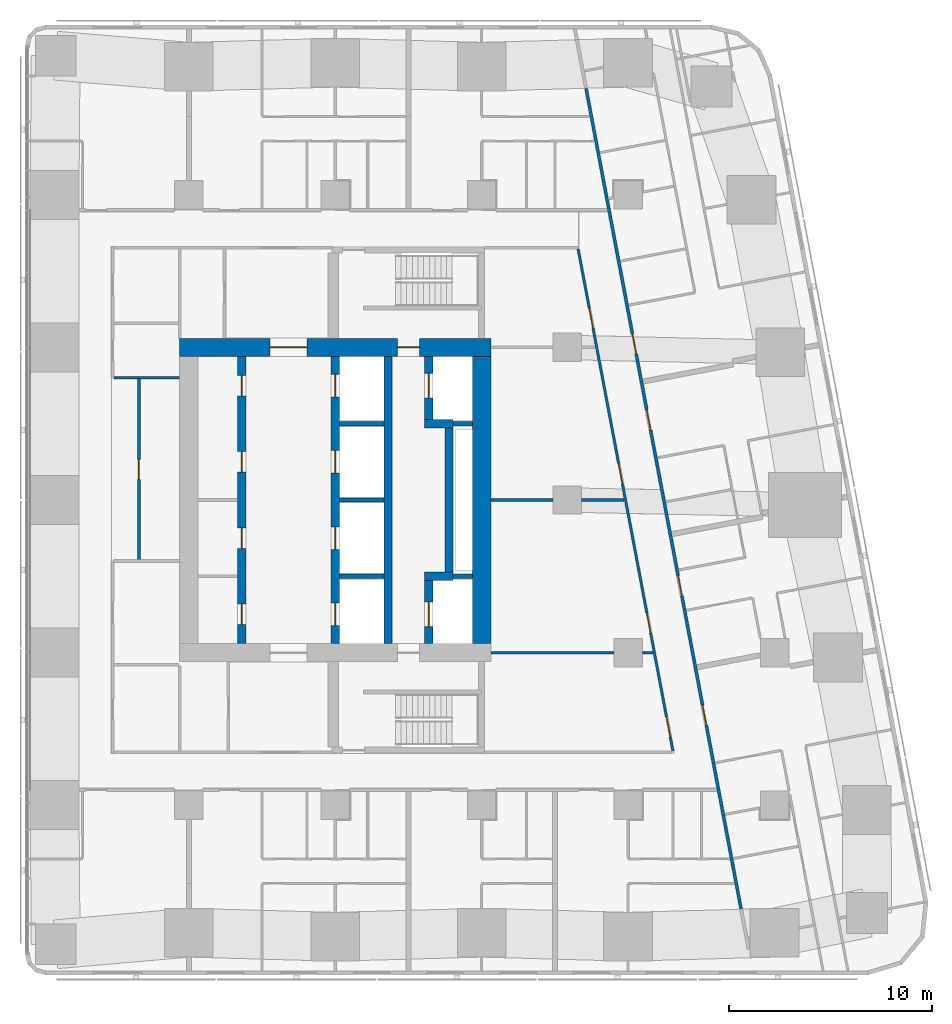
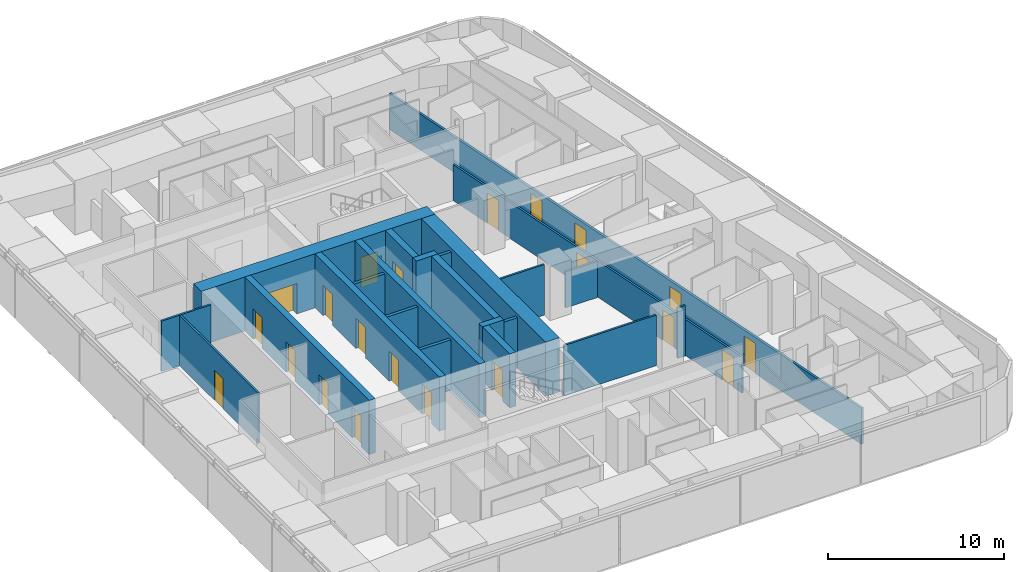
# One storey, part 12 of 19: 23 walls, 21 doors, 21 openings.
"""IFC4 building model written with IfcOpenShell, lengths in metres."""

from ifc_helpers import new_model, si_unit, direction, frame, frame_2d, origin, place, context, subcontext, project, spatial, rectangle, extrude, material, layer, layer_set, type_object, element, fill, save


model = new_model("IFC4")

# Units and contexts
model_context = context("Model", 3, precision=1e-05, world=origin(), true_north=direction((0.0, 1.0)))
body_context = subcontext(model_context, "Body", "Model", "MODEL_VIEW")
ifc_project = project(units=[si_unit("LENGTHUNIT", "METRE"), si_unit("AREAUNIT", "SQUARE_METRE"), si_unit("VOLUMEUNIT", "CUBIC_METRE"), si_unit("PLANEANGLEUNIT", "RADIAN"), si_unit("MASSUNIT", "GRAM", prefix="KILO")], contexts=[model_context])

# Site, building, storey
site_placement = place(None, origin())
site = spatial("IfcSite", under=ifc_project, at=site_placement, CompositionType="ELEMENT")
building_placement = place(site_placement, origin())
building = spatial("IfcBuilding", under=site, at=building_placement, Name="Sheger Commons Tower", CompositionType="ELEMENT")
storey_placement = place(building_placement, frame((0.0, 0.0, 219.949951171875)))
storey = spatial("IfcBuildingStorey", under=building, at=storey_placement, Name="L56", CompositionType="ELEMENT", Elevation=219.949951171875)

# Wall, openings, doors
ifc_material_1 = material(Name="Concrete C50/60", Category="concrete")
ifc_layer_1 = layer(ifc_material_1, 0.39990234375)
ifc_layer_set_1 = layer_set([ifc_layer_1], Name="CORE INNER WALL 400")
wall_type_1 = type_object("IfcWallType", Name="CORE INNER WALL 400", PredefinedType="SHEAR", material=ifc_layer_set_1)
wall_1_placement = place(storey_placement, frame((17.0, 15.449951171875, 0.0), z_axis=(0.0, 0.0, 1.0), x_axis=(0.0, 1.0, 0.0)))
wall_1 = element("IfcWall", 1, at=wall_1_placement, inside=storey, type_object=wall_type_1, Name="Core inner wall A L56", PredefinedType="SHEAR", context=body_context, shape_type="SweptSolid", body=[
    extrude(rectangle(XDim=14.10009765625, YDim=0.39990234375, at=frame_2d((7.050048828125, 0.0))), origin(), (0.0, 0.0, 1.0), 3.75),
])
opening_1_placement = place(wall_1_placement, frame((0.925048828125, 0.0, 0.0)))
opening_1 = element("IfcOpeningElement", 2, at=opening_1_placement, cuts=wall_1, Name="Opening D4", PredefinedType="OPENING", context=body_context, shape_type="SweptSolid", body=[
    extrude(rectangle(XDim=1.0, YDim=2.10009765625, at=frame_2d((0.5, 1.050048828125))), frame((0.0, 0.2099609375, 0.0), z_axis=(0.0, -1.0, 0.0), x_axis=(1.0, 0.0, 0.0)), (0.0, 0.0, 1.0), 0.419921875),
])
opening_2_placement = place(wall_1_placement, frame((4.675048828125, 0.0, 0.0)))
opening_2 = element("IfcOpeningElement", 3, at=opening_2_placement, cuts=wall_1, Name="Opening D4", PredefinedType="OPENING", context=body_context, shape_type="SweptSolid", body=[
    extrude(rectangle(XDim=1.0, YDim=2.10009765625, at=frame_2d((0.5, 1.050048828125))), frame((0.0, 0.2099609375, 0.0), z_axis=(0.0, -1.0, 0.0), x_axis=(1.0, 0.0, 0.0)), (0.0, 0.0, 1.0), 0.419921875),
])
opening_3_placement = place(wall_1_placement, frame((8.425048828125, 0.0, 0.0)))
opening_3 = element("IfcOpeningElement", 4, at=opening_3_placement, cuts=wall_1, Name="Opening D4", PredefinedType="OPENING", context=body_context, shape_type="SweptSolid", body=[
    extrude(rectangle(XDim=1.0, YDim=2.10009765625, at=frame_2d((0.5, 1.050048828125))), frame((0.0, 0.2099609375, 0.0), z_axis=(0.0, -1.0, 0.0), x_axis=(1.0, 0.0, 0.0)), (0.0, 0.0, 1.0), 0.419921875),
])
opening_4_placement = place(wall_1_placement, frame((12.175048828125, 0.0, 0.0)))
opening_4 = element("IfcOpeningElement", 5, at=opening_4_placement, cuts=wall_1, Name="Opening D4", PredefinedType="OPENING", context=body_context, shape_type="SweptSolid", body=[
    extrude(rectangle(XDim=1.0, YDim=2.10009765625, at=frame_2d((0.5, 1.050048828125))), frame((0.0, 0.2099609375, 0.0), z_axis=(0.0, -1.0, 0.0), x_axis=(1.0, 0.0, 0.0)), (0.0, 0.0, 1.0), 0.419921875),
])
ifc_material_2 = material(Name="Steel door set, fire rated", Category="steel")
door_type_1 = type_object("IfcDoorType", Name="SERVICE DOOR 1000x2100", OperationType="NOTDEFINED", PredefinedType="DOOR", material=ifc_material_2)
door_1_placement = place(opening_1_placement, origin())
door_1 = element("IfcDoor", 6, at=door_1_placement, inside=storey, type_object=door_type_1, Name="Staff WC door", OperationType="SINGLE_SWING_LEFT", OverallHeight=2.10009765625, OverallWidth=1.0, PredefinedType="DOOR", context=body_context, shape_type="SweptSolid", body=[
    extrude(rectangle(XDim=1.0, YDim=2.10009765625, at=frame_2d((0.5, 1.050048828125))), frame((0.0, 0.02490234375, 0.0), z_axis=(0.0, -1.0, 0.0), x_axis=(1.0, 0.0, 0.0)), (0.0, 0.0, 1.0), 0.050048828125),
])
fill(opening_1, door_1)
door_2_placement = place(opening_2_placement, origin())
door_2 = element("IfcDoor", 7, at=door_2_placement, inside=storey, type_object=door_type_1, Name="Cleaner's store door", OperationType="SINGLE_SWING_LEFT", OverallHeight=2.10009765625, OverallWidth=1.0, PredefinedType="DOOR", context=body_context, shape_type="SweptSolid", body=[
    extrude(rectangle(XDim=1.0, YDim=2.10009765625, at=frame_2d((0.5, 1.050048828125))), frame((0.0, 0.02490234375, 0.0), z_axis=(0.0, -1.0, 0.0), x_axis=(1.0, 0.0, 0.0)), (0.0, 0.0, 1.0), 0.050048828125),
])
fill(opening_2, door_2)
door_3_placement = place(opening_3_placement, origin())
door_3 = element("IfcDoor", 8, at=door_3_placement, inside=storey, type_object=door_type_1, Name="Linen and housekeeping store door", OperationType="SINGLE_SWING_LEFT", OverallHeight=2.10009765625, OverallWidth=1.0, PredefinedType="DOOR", context=body_context, shape_type="SweptSolid", body=[
    extrude(rectangle(XDim=1.0, YDim=2.10009765625, at=frame_2d((0.5, 1.050048828125))), frame((0.0, 0.02490234375, 0.0), z_axis=(0.0, -1.0, 0.0), x_axis=(1.0, 0.0, 0.0)), (0.0, 0.0, 1.0), 0.050048828125),
])
fill(opening_3, door_3)
door_4_placement = place(opening_4_placement, origin())
door_4 = element("IfcDoor", 9, at=door_4_placement, inside=storey, type_object=door_type_1, Name="Linen and housekeeping store door", OperationType="SINGLE_SWING_RIGHT", OverallHeight=2.10009765625, OverallWidth=1.0, PredefinedType="DOOR", context=body_context, shape_type="SweptSolid", body=[
    extrude(rectangle(XDim=1.0, YDim=2.10009765625, at=frame_2d((0.5, 1.050048828125))), frame((0.0, 0.02490234375, 0.0), z_axis=(0.0, -1.0, 0.0), x_axis=(1.0, 0.0, 0.0)), (0.0, 0.0, 1.0), 0.050048828125),
])
fill(opening_4, door_4)

wall_2_placement = place(storey_placement, frame((21.60009765625, 15.449951171875, 0.0), z_axis=(0.0, 0.0, 1.0), x_axis=(0.0, 1.0, 0.0)))
wall_2 = element("IfcWall", 10, at=wall_2_placement, inside=storey, type_object=wall_type_1, Name="Core inner wall L L56", PredefinedType="SHEAR", context=body_context, shape_type="SweptSolid", body=[
    extrude(rectangle(XDim=14.10009765625, YDim=0.39990234375, at=frame_2d((7.050048828125, 0.0))), origin(), (0.0, 0.0, 1.0), 3.75),
])
opening_5_placement = place(wall_2_placement, frame((0.875, 0.0, 0.0)))
opening_5 = element("IfcOpeningElement", 11, at=opening_5_placement, cuts=wall_2, Name="Opening LD", PredefinedType="OPENING", context=body_context, shape_type="SweptSolid", body=[
    extrude(rectangle(XDim=1.10009765625, YDim=2.10009765625, at=frame_2d((0.550048828125, 1.050048828125))), frame((0.0, 0.2099609375, 0.0), z_axis=(0.0, -1.0, 0.0), x_axis=(1.0, 0.0, 0.0)), (0.0, 0.0, 1.0), 0.419921875),
])
opening_6_placement = place(wall_2_placement, frame((4.625, 0.0, 0.0)))
opening_6 = element("IfcOpeningElement", 12, at=opening_6_placement, cuts=wall_2, Name="Opening LD", PredefinedType="OPENING", context=body_context, shape_type="SweptSolid", body=[
    extrude(rectangle(XDim=1.10009765625, YDim=2.10009765625, at=frame_2d((0.550048828125, 1.050048828125))), frame((0.0, 0.2099609375, 0.0), z_axis=(0.0, -1.0, 0.0), x_axis=(1.0, 0.0, 0.0)), (0.0, 0.0, 1.0), 0.419921875),
])
opening_7_placement = place(wall_2_placement, frame((8.375, 0.0, 0.0)))
opening_7 = element("IfcOpeningElement", 13, at=opening_7_placement, cuts=wall_2, Name="Opening LD", PredefinedType="OPENING", context=body_context, shape_type="SweptSolid", body=[
    extrude(rectangle(XDim=1.10009765625, YDim=2.10009765625, at=frame_2d((0.550048828125, 1.050048828125))), frame((0.0, 0.2099609375, 0.0), z_axis=(0.0, -1.0, 0.0), x_axis=(1.0, 0.0, 0.0)), (0.0, 0.0, 1.0), 0.419921875),
])
opening_8_placement = place(wall_2_placement, frame((12.125, 0.0, 0.0)))
opening_8 = element("IfcOpeningElement", 14, at=opening_8_placement, cuts=wall_2, Name="Opening LD", PredefinedType="OPENING", context=body_context, shape_type="SweptSolid", body=[
    extrude(rectangle(XDim=1.10009765625, YDim=2.10009765625, at=frame_2d((0.550048828125, 1.050048828125))), frame((0.0, 0.2099609375, 0.0), z_axis=(0.0, -1.0, 0.0), x_axis=(1.0, 0.0, 0.0)), (0.0, 0.0, 1.0), 0.419921875),
])
ifc_material_3 = material(Name="Steel door set, fire rated", Category="steel")
door_type_2 = type_object("IfcDoorType", Name="LIFT LANDING DOOR 1100x2100", OperationType="DOUBLE_DOOR_SLIDING", PredefinedType="DOOR", material=ifc_material_3)
door_5_placement = place(opening_5_placement, origin())
door_5 = element("IfcDoor", 15, at=door_5_placement, inside=storey, type_object=door_type_2, Name="Lift LB1 landing door", OperationType="DOUBLE_DOOR_SLIDING", OverallHeight=2.10009765625, OverallWidth=1.10009765625, PredefinedType="DOOR", context=body_context, shape_type="SweptSolid", body=[
    extrude(rectangle(XDim=1.10009765625, YDim=2.10009765625, at=frame_2d((0.550048828125, 1.050048828125))), frame((0.0, 0.02490234375, 0.0), z_axis=(0.0, -1.0, 0.0), x_axis=(1.0, 0.0, 0.0)), (0.0, 0.0, 1.0), 0.050048828125),
])
fill(opening_5, door_5)
door_6_placement = place(opening_6_placement, origin())
door_6 = element("IfcDoor", 16, at=door_6_placement, inside=storey, type_object=door_type_2, Name="Lift LB2 landing door", OperationType="DOUBLE_DOOR_SLIDING", OverallHeight=2.10009765625, OverallWidth=1.10009765625, PredefinedType="DOOR", context=body_context, shape_type="SweptSolid", body=[
    extrude(rectangle(XDim=1.10009765625, YDim=2.10009765625, at=frame_2d((0.550048828125, 1.050048828125))), frame((0.0, 0.02490234375, 0.0), z_axis=(0.0, -1.0, 0.0), x_axis=(1.0, 0.0, 0.0)), (0.0, 0.0, 1.0), 0.050048828125),
])
fill(opening_6, door_6)
door_7_placement = place(opening_7_placement, origin())
door_7 = element("IfcDoor", 17, at=door_7_placement, inside=storey, type_object=door_type_2, Name="Lift LB3 landing door", OperationType="DOUBLE_DOOR_SLIDING", OverallHeight=2.10009765625, OverallWidth=1.10009765625, PredefinedType="DOOR", context=body_context, shape_type="SweptSolid", body=[
    extrude(rectangle(XDim=1.10009765625, YDim=2.10009765625, at=frame_2d((0.550048828125, 1.050048828125))), frame((0.0, 0.02490234375, 0.0), z_axis=(0.0, -1.0, 0.0), x_axis=(1.0, 0.0, 0.0)), (0.0, 0.0, 1.0), 0.050048828125),
])
fill(opening_7, door_7)
door_8_placement = place(opening_8_placement, origin())
door_8 = element("IfcDoor", 18, at=door_8_placement, inside=storey, type_object=door_type_2, Name="Lift LB4 landing door", OperationType="DOUBLE_DOOR_SLIDING", OverallHeight=2.10009765625, OverallWidth=1.10009765625, PredefinedType="DOOR", context=body_context, shape_type="SweptSolid", body=[
    extrude(rectangle(XDim=1.10009765625, YDim=2.10009765625, at=frame_2d((0.550048828125, 1.050048828125))), frame((0.0, 0.02490234375, 0.0), z_axis=(0.0, -1.0, 0.0), x_axis=(1.0, 0.0, 0.0)), (0.0, 0.0, 1.0), 0.050048828125),
])
fill(opening_8, door_8)

# Wall
wall_3_placement = place(storey_placement, frame((24.199951171875, 15.449951171875, 0.0), z_axis=(0.0, 0.0, 1.0), x_axis=(0.0, 1.0, 0.0)))
element("IfcWall", 19, at=wall_3_placement, inside=storey, type_object=wall_type_1, Name="Core inner wall B L56", PredefinedType="SHEAR", context=body_context, shape_type="SweptSolid", body=[
    extrude(rectangle(XDim=14.10009765625, YDim=0.39990234375, at=frame_2d((7.050048828125, 0.0))), origin(), (0.0, 0.0, 1.0), 3.75),
])

# Wall, opening, door
wall_4_placement = place(storey_placement, frame((26.199951171875, 15.449951171875, 0.0), z_axis=(0.0, 0.0, 1.0), x_axis=(0.0, 1.0, 0.0)))
wall_4 = element("IfcWall", 20, at=wall_4_placement, inside=storey, type_object=wall_type_1, Name="Core inner wall F L56", PredefinedType="SHEAR", context=body_context, shape_type="SweptSolid", body=[
    extrude(rectangle(XDim=3.10009765625, YDim=0.39990234375, at=frame_2d((1.550048828125, 0.0))), origin(), (0.0, 0.0, 1.0), 3.75),
])
opening_9_placement = place(wall_4_placement, frame((0.824951171875, 0.0, 0.0)))
opening_9 = element("IfcOpeningElement", 21, at=opening_9_placement, cuts=wall_4, Name="Opening LD2", PredefinedType="OPENING", context=body_context, shape_type="SweptSolid", body=[
    extrude(rectangle(XDim=1.199951171875, YDim=2.10009765625, at=frame_2d((0.60009765625, 1.050048828125))), frame((0.0, 0.2099609375, 0.0), z_axis=(0.0, -1.0, 0.0), x_axis=(1.0, 0.0, 0.0)), (0.0, 0.0, 1.0), 0.419921875),
])
ifc_material_4 = material(Name="Steel door set, fire rated", Category="steel")
door_type_3 = type_object("IfcDoorType", Name="FIREFIGHTING LIFT LANDING DOOR 1200x2100", OperationType="DOUBLE_DOOR_SLIDING", PredefinedType="DOOR", material=ifc_material_4)
door_9_placement = place(opening_9_placement, origin())
door_9 = element("IfcDoor", 22, at=door_9_placement, inside=storey, type_object=door_type_3, Name="Lift FL1 landing door", OperationType="DOUBLE_DOOR_SLIDING", OverallHeight=2.10009765625, OverallWidth=1.199951171875, PredefinedType="DOOR", context=body_context, shape_type="SweptSolid", body=[
    extrude(rectangle(XDim=1.199951171875, YDim=2.10009765625, at=frame_2d((0.60009765625, 1.050048828125))), frame((0.0, 0.02490234375, 0.0), z_axis=(0.0, -1.0, 0.0), x_axis=(1.0, 0.0, 0.0)), (0.0, 0.0, 1.0), 0.050048828125),
])
fill(opening_9, door_9)

# Walls
wall_5_placement = place(storey_placement, frame((26.0, 18.75, 0.0), z_axis=(0.0, 0.0, 1.0), x_axis=(1.0, 0.0, 0.0)))
element("IfcWall", 23, at=wall_5_placement, inside=storey, type_object=wall_type_1, Name="Core inner wall F south return L56", PredefinedType="SHEAR", context=body_context, shape_type="SweptSolid", body=[
    extrude(rectangle(XDim=1.39990234375, YDim=0.39990234375, at=frame_2d((0.699951171875, 0.0))), origin(), (0.0, 0.0, 1.0), 3.75),
])
wall_6_placement = place(storey_placement, frame((27.199951171875, 18.949951171875, 0.0), z_axis=(0.0, 0.0, 1.0), x_axis=(0.0, 1.0, 0.0)))
element("IfcWall", 24, at=wall_6_placement, inside=storey, type_object=wall_type_1, Name="Core inner wall F middle L56", PredefinedType="SHEAR", context=body_context, shape_type="SweptSolid", body=[
    extrude(rectangle(XDim=7.10009765625, YDim=0.39990234375, at=frame_2d((3.550048828125, 0.0))), origin(), (0.0, 0.0, 1.0), 3.75),
])
wall_7_placement = place(storey_placement, frame((26.0, 26.25, 0.0), z_axis=(0.0, 0.0, 1.0), x_axis=(1.0, 0.0, 0.0)))
element("IfcWall", 25, at=wall_7_placement, inside=storey, type_object=wall_type_1, Name="Core inner wall F north return L56", PredefinedType="SHEAR", context=body_context, shape_type="SweptSolid", body=[
    extrude(rectangle(XDim=1.39990234375, YDim=0.39990234375, at=frame_2d((0.699951171875, 0.0))), origin(), (0.0, 0.0, 1.0), 3.75),
])

# Wall, opening, door
wall_8_placement = place(storey_placement, frame((26.199951171875, 26.449951171875, 0.0), z_axis=(0.0, 0.0, 1.0), x_axis=(0.0, 1.0, 0.0)))
wall_8 = element("IfcWall", 26, at=wall_8_placement, inside=storey, type_object=wall_type_1, Name="Core inner wall F north L56", PredefinedType="SHEAR", context=body_context, shape_type="SweptSolid", body=[
    extrude(rectangle(XDim=3.10009765625, YDim=0.39990234375, at=frame_2d((1.550048828125, 0.0))), origin(), (0.0, 0.0, 1.0), 3.75),
])
opening_10_placement = place(wall_8_placement, frame((1.074951171875, 0.0, 0.0)))
opening_10 = element("IfcOpeningElement", 27, at=opening_10_placement, cuts=wall_8, Name="Opening LD2", PredefinedType="OPENING", context=body_context, shape_type="SweptSolid", body=[
    extrude(rectangle(XDim=1.199951171875, YDim=2.10009765625, at=frame_2d((0.60009765625, 1.050048828125))), frame((0.0, 0.2099609375, 0.0), z_axis=(0.0, -1.0, 0.0), x_axis=(1.0, 0.0, 0.0)), (0.0, 0.0, 1.0), 0.419921875),
])
door_10_placement = place(opening_10_placement, origin())
door_10 = element("IfcDoor", 28, at=door_10_placement, inside=storey, type_object=door_type_3, Name="Lift FL2 landing door", OperationType="DOUBLE_DOOR_SLIDING", OverallHeight=2.10009765625, OverallWidth=1.199951171875, PredefinedType="DOOR", context=body_context, shape_type="SweptSolid", body=[
    extrude(rectangle(XDim=1.199951171875, YDim=2.10009765625, at=frame_2d((0.60009765625, 1.050048828125))), frame((0.0, 0.02490234375, 0.0), z_axis=(0.0, -1.0, 0.0), x_axis=(1.0, 0.0, 0.0)), (0.0, 0.0, 1.0), 0.050048828125),
])
fill(opening_10, door_10)

# Wall, openings, doors
ifc_material_5 = material(Name="Concrete C50/60", Category="concrete")
ifc_layer_2 = layer(ifc_material_5, 0.89990234375)
ifc_layer_set_2 = layer_set([ifc_layer_2], Name="CORE WALL 900")
wall_type_2 = type_object("IfcWallType", Name="CORE WALL 900", PredefinedType="SHEAR", material=ifc_layer_set_2)
wall_9_placement = place(storey_placement, frame((13.949951171875, 30.0, 0.0), z_axis=(0.0, 0.0, 1.0), x_axis=(1.0, 0.0, 0.0)))
wall_9 = element("IfcWall", 29, at=wall_9_placement, inside=storey, type_object=wall_type_2, Name="Core wall north L56", PredefinedType="SHEAR", context=body_context, shape_type="SweptSolid", body=[
    extrude(rectangle(XDim=15.300048828125, YDim=0.89990234375, at=frame_2d((7.64990234375, 0.0))), origin(), (0.0, 0.0, 1.0), 3.75),
])
opening_11_placement = place(wall_9_placement, frame((4.449951171875, 0.0, 0.0)))
opening_11 = element("IfcOpeningElement", 30, at=opening_11_placement, cuts=wall_9, Name="Opening D6", PredefinedType="OPENING", context=body_context, shape_type="SweptSolid", body=[
    extrude(rectangle(XDim=1.800048828125, YDim=2.10009765625, at=frame_2d((0.89990234375, 1.050048828125))), frame((0.0, 0.4599609375, 0.0), z_axis=(0.0, -1.0, 0.0), x_axis=(1.0, 0.0, 0.0)), (0.0, 0.0, 1.0), 0.919921875),
])
opening_12_placement = place(wall_9_placement, frame((10.699951171875, 0.0, 0.0)))
opening_12 = element("IfcOpeningElement", 31, at=opening_12_placement, cuts=wall_9, Name="Opening D5", PredefinedType="OPENING", context=body_context, shape_type="SweptSolid", body=[
    extrude(rectangle(XDim=1.10009765625, YDim=2.10009765625, at=frame_2d((0.550048828125, 1.050048828125))), frame((0.0, 0.4599609375, 0.0), z_axis=(0.0, -1.0, 0.0), x_axis=(1.0, 0.0, 0.0)), (0.0, 0.0, 1.0), 0.919921875),
])
ifc_material_6 = material(Name="Steel door set, fire rated", Category="steel")
door_type_4 = type_object("IfcDoorType", Name="LOBBY DOUBLE DOOR 1800x2100", OperationType="DOUBLE_DOOR_SINGLE_SWING", PredefinedType="DOOR", material=ifc_material_6)
door_11_placement = place(opening_11_placement, origin())
door_11 = element("IfcDoor", 32, at=door_11_placement, inside=storey, type_object=door_type_4, Name="Lift lobby door", OperationType="DOUBLE_DOOR_SINGLE_SWING", OverallHeight=2.10009765625, OverallWidth=1.800048828125, PredefinedType="DOOR", context=body_context, shape_type="SweptSolid", body=[
    extrude(rectangle(XDim=1.800048828125, YDim=2.10009765625, at=frame_2d((0.89990234375, 1.050048828125))), frame((0.0, 0.02490234375, 0.0), z_axis=(0.0, -1.0, 0.0), x_axis=(1.0, 0.0, 0.0)), (0.0, 0.0, 1.0), 0.050048828125),
])
fill(opening_11, door_11)
ifc_material_7 = material(Name="Steel door set, fire rated", Category="steel")
door_type_5 = type_object("IfcDoorType", Name="STAIR DOOR 1100x2100", OperationType="NOTDEFINED", PredefinedType="DOOR", material=ifc_material_7)
door_12_placement = place(opening_12_placement, origin())
door_12 = element("IfcDoor", 33, at=door_12_placement, inside=storey, type_object=door_type_5, Name="Fire-fighting lobby door", OperationType="SINGLE_SWING_LEFT", OverallHeight=2.10009765625, OverallWidth=1.10009765625, PredefinedType="DOOR", context=body_context, shape_type="SweptSolid", body=[
    extrude(rectangle(XDim=1.10009765625, YDim=2.10009765625, at=frame_2d((0.550048828125, 1.050048828125))), frame((0.0, 0.02490234375, 0.0), z_axis=(0.0, -1.0, 0.0), x_axis=(1.0, 0.0, 0.0)), (0.0, 0.0, 1.0), 0.050048828125),
])
fill(opening_12, door_12)

# Wall
wall_10_placement = place(storey_placement, frame((28.800048828125, 15.449951171875, 0.0), z_axis=(0.0, 0.0, 1.0), x_axis=(0.0, 1.0, 0.0)))
element("IfcWall", 34, at=wall_10_placement, inside=storey, type_object=wall_type_2, Name="Core wall east L56", PredefinedType="SHEAR", context=body_context, shape_type="SweptSolid", body=[
    extrude(rectangle(XDim=14.10009765625, YDim=0.89990234375, at=frame_2d((7.050048828125, 0.0))), origin(), (0.0, 0.0, 1.0), 3.75),
])

# Wall, openings, doors
ifc_material_8 = material(Name="Hollow concrete block masonry, skimmed both sides", Category="masonry")
ifc_layer_3 = layer(ifc_material_8, 0.14990234375)
ifc_layer_set_3 = layer_set([ifc_layer_3], Name="CORRIDOR WALL 150")
wall_type_3 = type_object("IfcWallType", Name="CORRIDOR WALL 150", PredefinedType="SOLIDWALL", material=ifc_layer_set_3)
wall_11_placement = place(storey_placement, frame((33.93310546875, 42.72998046875, 0.0), z_axis=(0.0, 0.0, 1.0), x_axis=(0.185595417643, -0.982626246825, 0.0)))
wall_11 = element("IfcWall", 35, at=wall_11_placement, inside=storey, type_object=wall_type_3, Name="Corridor wall L56", PredefinedType="SOLIDWALL", context=body_context, shape_type="SweptSolid", body=[
    extrude(rectangle(XDim=41.051025390625, YDim=0.14990234375, at=frame_2d((20.525390625, 0.0))), origin(), (0.0, 0.0, 1.0), 2.5),
])
opening_13_placement = place(wall_11_placement, frame((12.26611328125, 0.0, 0.0)))
opening_13 = element("IfcOpeningElement", 36, at=opening_13_placement, cuts=wall_11, Name="Opening D1", PredefinedType="OPENING", context=body_context, shape_type="SweptSolid", body=[
    extrude(rectangle(XDim=1.0, YDim=2.10009765625, at=frame_2d((0.5, 1.050048828125))), frame((0.0, 0.0849609375, 0.0), z_axis=(0.0, -1.0, 0.0), x_axis=(1.0, 0.0, 0.0)), (0.0, 0.0, 1.0), 0.169921875),
])
opening_14_placement = place(wall_11_placement, frame((16.08203125, 0.0, 0.0)))
opening_14 = element("IfcOpeningElement", 37, at=opening_14_placement, cuts=wall_11, Name="Opening D1", PredefinedType="OPENING", context=body_context, shape_type="SweptSolid", body=[
    extrude(rectangle(XDim=1.0, YDim=2.10009765625, at=frame_2d((0.5, 1.050048828125))), frame((0.0, 0.0849609375, 0.0), z_axis=(0.0, -1.0, 0.0), x_axis=(1.0, 0.0, 0.0)), (0.0, 0.0, 1.0), 0.169921875),
])
opening_15_placement = place(wall_11_placement, frame((24.368896484375, 0.0, 0.0)))
opening_15 = element("IfcOpeningElement", 38, at=opening_15_placement, cuts=wall_11, Name="Opening D1", PredefinedType="OPENING", context=body_context, shape_type="SweptSolid", body=[
    extrude(rectangle(XDim=1.0, YDim=2.10009765625, at=frame_2d((0.5, 1.050048828125))), frame((0.0, 0.0849609375, 0.0), z_axis=(0.0, -1.0, 0.0), x_axis=(1.0, 0.0, 0.0)), (0.0, 0.0, 1.0), 0.169921875),
])
opening_16_placement = place(wall_11_placement, frame((30.862060546875, 0.0, 0.0)))
opening_16 = element("IfcOpeningElement", 39, at=opening_16_placement, cuts=wall_11, Name="Opening D1", PredefinedType="OPENING", context=body_context, shape_type="SweptSolid", body=[
    extrude(rectangle(XDim=1.0, YDim=2.10009765625, at=frame_2d((0.5, 1.050048828125))), frame((0.0, 0.0849609375, 0.0), z_axis=(0.0, -1.0, 0.0), x_axis=(1.0, 0.0, 0.0)), (0.0, 0.0, 1.0), 0.169921875),
])
ifc_material_9 = material(Name="Steel door set, fire rated", Category="steel")
door_type_6 = type_object("IfcDoorType", Name="FLAT ENTRANCE DOOR 1000x2100", OperationType="NOTDEFINED", PredefinedType="DOOR", material=ifc_material_9)
door_13_placement = place(opening_13_placement, origin())
door_13 = element("IfcDoor", 40, at=door_13_placement, inside=storey, type_object=door_type_6, Name="Flat entrance door", OperationType="SINGLE_SWING_LEFT", OverallHeight=2.10009765625, OverallWidth=1.0, PredefinedType="DOOR", context=body_context, shape_type="SweptSolid", body=[
    extrude(rectangle(XDim=1.0, YDim=2.10009765625, at=frame_2d((0.5, 1.050048828125))), frame((0.0, 0.02490234375, 0.0), z_axis=(0.0, -1.0, 0.0), x_axis=(1.0, 0.0, 0.0)), (0.0, 0.0, 1.0), 0.050048828125),
])
fill(opening_13, door_13)
door_14_placement = place(opening_14_placement, origin())
door_14 = element("IfcDoor", 41, at=door_14_placement, inside=storey, type_object=door_type_6, Name="Flat entrance door", OperationType="SINGLE_SWING_RIGHT", OverallHeight=2.10009765625, OverallWidth=1.0, PredefinedType="DOOR", context=body_context, shape_type="SweptSolid", body=[
    extrude(rectangle(XDim=1.0, YDim=2.10009765625, at=frame_2d((0.5, 1.050048828125))), frame((0.0, 0.02490234375, 0.0), z_axis=(0.0, -1.0, 0.0), x_axis=(1.0, 0.0, 0.0)), (0.0, 0.0, 1.0), 0.050048828125),
])
fill(opening_14, door_14)
door_15_placement = place(opening_15_placement, origin())
door_15 = element("IfcDoor", 42, at=door_15_placement, inside=storey, type_object=door_type_6, Name="Flat entrance door", OperationType="SINGLE_SWING_LEFT", OverallHeight=2.10009765625, OverallWidth=1.0, PredefinedType="DOOR", context=body_context, shape_type="SweptSolid", body=[
    extrude(rectangle(XDim=1.0, YDim=2.10009765625, at=frame_2d((0.5, 1.050048828125))), frame((0.0, 0.02490234375, 0.0), z_axis=(0.0, -1.0, 0.0), x_axis=(1.0, 0.0, 0.0)), (0.0, 0.0, 1.0), 0.050048828125),
])
fill(opening_15, door_15)
door_16_placement = place(opening_16_placement, origin())
door_16 = element("IfcDoor", 43, at=door_16_placement, inside=storey, type_object=door_type_6, Name="Flat entrance door", OperationType="SINGLE_SWING_LEFT", OverallHeight=2.10009765625, OverallWidth=1.0, PredefinedType="DOOR", context=body_context, shape_type="SweptSolid", body=[
    extrude(rectangle(XDim=1.0, YDim=2.10009765625, at=frame_2d((0.5, 1.050048828125))), frame((0.0, 0.02490234375, 0.0), z_axis=(0.0, -1.0, 0.0), x_axis=(1.0, 0.0, 0.0)), (0.0, 0.0, 1.0), 0.050048828125),
])
fill(opening_16, door_16)

# Wall, opening, door
ifc_material_10 = material(Name="Gypsum board on steel studs, two layers each side, fire rated", Category="steel")
ifc_layer_4 = layer(ifc_material_10, 0.125)
ifc_layer_set_4 = layer_set([ifc_layer_4], Name="SERVICE WALL 125")
wall_type_4 = type_object("IfcWallType", Name="SERVICE WALL 125", PredefinedType="PARTITIONING", material=ifc_layer_set_4)
wall_12_placement = place(storey_placement, frame((11.949951171875, 19.56201171875, 0.0), z_axis=(0.0, 0.0, 1.0), x_axis=(0.0, 1.0, 0.0)))
wall_12 = element("IfcWall", 44, at=wall_12_placement, inside=storey, type_object=wall_type_4, Name="Service room wall L56", PredefinedType="PARTITIONING", context=body_context, shape_type="SweptSolid", body=[
    extrude(rectangle(XDim=8.8759765625, YDim=0.125, at=frame_2d((4.43798828125, 0.0))), origin(), (0.0, 0.0, 1.0), 3.5),
])
opening_17_placement = place(wall_12_placement, frame((3.93798828125, 0.0, 0.0)))
opening_17 = element("IfcOpeningElement", 45, at=opening_17_placement, cuts=wall_12, Name="Opening D4", PredefinedType="OPENING", context=body_context, shape_type="SweptSolid", body=[
    extrude(rectangle(XDim=1.0, YDim=2.10009765625, at=frame_2d((0.5, 1.050048828125))), frame((0.0, 0.072509765625, 0.0), z_axis=(0.0, -1.0, 0.0), x_axis=(1.0, 0.0, 0.0)), (0.0, 0.0, 1.0), 0.14501953125),
])
door_17_placement = place(opening_17_placement, origin())
door_17 = element("IfcDoor", 46, at=door_17_placement, inside=storey, type_object=door_type_1, Name="Residents' hobby room door", OperationType="SINGLE_SWING_LEFT", OverallHeight=2.10009765625, OverallWidth=1.0, PredefinedType="DOOR", context=body_context, shape_type="SweptSolid", body=[
    extrude(rectangle(XDim=1.0, YDim=2.10009765625, at=frame_2d((0.5, 1.050048828125))), frame((0.0, 0.02490234375, 0.0), z_axis=(0.0, -1.0, 0.0), x_axis=(1.0, 0.0, 0.0)), (0.0, 0.0, 1.0), 0.050048828125),
])
fill(opening_17, door_17)

# Wall
wall_13_placement = place(storey_placement, frame((10.712890625, 28.5, 0.0), z_axis=(0.0, 0.0, 1.0), x_axis=(1.0, 0.0, 0.0)))
element("IfcWall", 47, at=wall_13_placement, inside=storey, type_object=wall_type_4, Name="Service room wall L56", PredefinedType="PARTITIONING", context=body_context, shape_type="SweptSolid", body=[
    extrude(rectangle(XDim=3.237060546875, YDim=0.125, at=frame_2d((1.61865234375, 0.0))), origin(), (0.0, 0.0, 1.0), 3.5),
])

# Wall, openings, doors
wall_14_placement = place(storey_placement, frame((38.201904296875, 10.1630859375, 0.0), z_axis=(0.0, 0.0, 1.0), x_axis=(-0.185610321132, 0.982623431783, 0.0)))
wall_14 = element("IfcWall", 48, at=wall_14_placement, inside=storey, type_object=wall_type_4, Name="Service room wall L56", PredefinedType="PARTITIONING", context=body_context, shape_type="SweptSolid", body=[
    extrude(rectangle(XDim=25.111083984375, YDim=0.125, at=frame_2d((12.5556640625, 0.0))), origin(), (0.0, 0.0, 1.0), 2.5),
])
opening_18_placement = place(wall_14_placement, frame((0.7080078125, 0.0, 0.0)))
opening_18 = element("IfcOpeningElement", 49, at=opening_18_placement, cuts=wall_14, Name="Opening D4", PredefinedType="OPENING", context=body_context, shape_type="SweptSolid", body=[
    extrude(rectangle(XDim=1.0, YDim=2.10009765625, at=frame_2d((0.5, 1.050048828125))), frame((0.0, 0.072509765625, 0.0), z_axis=(0.0, -1.0, 0.0), x_axis=(1.0, 0.0, 0.0)), (0.0, 0.0, 1.0), 0.14501953125),
])
opening_19_placement = place(wall_14_placement, frame((5.89990234375, 0.0, 0.0)))
opening_19 = element("IfcOpeningElement", 50, at=opening_19_placement, cuts=wall_14, Name="Opening D4", PredefinedType="OPENING", context=body_context, shape_type="SweptSolid", body=[
    extrude(rectangle(XDim=1.0, YDim=2.10009765625, at=frame_2d((0.5, 1.050048828125))), frame((0.0, 0.072509765625, 0.0), z_axis=(0.0, -1.0, 0.0), x_axis=(1.0, 0.0, 0.0)), (0.0, 0.0, 1.0), 0.14501953125),
])
opening_20_placement = place(wall_14_placement, frame((13.3779296875, 0.0, 0.0)))
opening_20 = element("IfcOpeningElement", 51, at=opening_20_placement, cuts=wall_14, Name="Opening D4", PredefinedType="OPENING", context=body_context, shape_type="SweptSolid", body=[
    extrude(rectangle(XDim=1.0, YDim=2.10009765625, at=frame_2d((0.5, 1.050048828125))), frame((0.0, 0.072509765625, 0.0), z_axis=(0.0, -1.0, 0.0), x_axis=(1.0, 0.0, 0.0)), (0.0, 0.0, 1.0), 0.14501953125),
])
opening_21_placement = place(wall_14_placement, frame((21.14990234375, 0.0, 0.0)))
opening_21 = element("IfcOpeningElement", 52, at=opening_21_placement, cuts=wall_14, Name="Opening D4", PredefinedType="OPENING", context=body_context, shape_type="SweptSolid", body=[
    extrude(rectangle(XDim=1.0, YDim=2.10009765625, at=frame_2d((0.5, 1.050048828125))), frame((0.0, 0.072509765625, 0.0), z_axis=(0.0, -1.0, 0.0), x_axis=(1.0, 0.0, 0.0)), (0.0, 0.0, 1.0), 0.14501953125),
])
door_18_placement = place(opening_18_placement, origin())
door_18 = element("IfcDoor", 53, at=door_18_placement, inside=storey, type_object=door_type_1, Name="Residents' study room door", OperationType="SINGLE_SWING_LEFT", OverallHeight=2.10009765625, OverallWidth=1.0, PredefinedType="DOOR", context=body_context, shape_type="SweptSolid", body=[
    extrude(rectangle(XDim=1.0, YDim=2.10009765625, at=frame_2d((0.5, 1.050048828125))), frame((0.0, 0.02490234375, 0.0), z_axis=(0.0, -1.0, 0.0), x_axis=(1.0, 0.0, 0.0)), (0.0, 0.0, 1.0), 0.050048828125),
])
fill(opening_18, door_18)
door_19_placement = place(opening_19_placement, origin())
door_19 = element("IfcDoor", 54, at=door_19_placement, inside=storey, type_object=door_type_1, Name="Bicycle and pram store door", OperationType="SINGLE_SWING_LEFT", OverallHeight=2.10009765625, OverallWidth=1.0, PredefinedType="DOOR", context=body_context, shape_type="SweptSolid", body=[
    extrude(rectangle(XDim=1.0, YDim=2.10009765625, at=frame_2d((0.5, 1.050048828125))), frame((0.0, 0.02490234375, 0.0), z_axis=(0.0, -1.0, 0.0), x_axis=(1.0, 0.0, 0.0)), (0.0, 0.0, 1.0), 0.050048828125),
])
fill(opening_19, door_19)
door_20_placement = place(opening_20_placement, origin())
door_20 = element("IfcDoor", 55, at=door_20_placement, inside=storey, type_object=door_type_1, Name="Residents' store door", OperationType="SINGLE_SWING_LEFT", OverallHeight=2.10009765625, OverallWidth=1.0, PredefinedType="DOOR", context=body_context, shape_type="SweptSolid", body=[
    extrude(rectangle(XDim=1.0, YDim=2.10009765625, at=frame_2d((0.5, 1.050048828125))), frame((0.0, 0.02490234375, 0.0), z_axis=(0.0, -1.0, 0.0), x_axis=(1.0, 0.0, 0.0)), (0.0, 0.0, 1.0), 0.050048828125),
])
fill(opening_20, door_20)
door_21_placement = place(opening_21_placement, origin())
door_21 = element("IfcDoor", 56, at=door_21_placement, inside=storey, type_object=door_type_1, Name="Residents' meeting room door", OperationType="SINGLE_SWING_LEFT", OverallHeight=2.10009765625, OverallWidth=1.0, PredefinedType="DOOR", context=body_context, shape_type="SweptSolid", body=[
    extrude(rectangle(XDim=1.0, YDim=2.10009765625, at=frame_2d((0.5, 1.050048828125))), frame((0.0, 0.02490234375, 0.0), z_axis=(0.0, -1.0, 0.0), x_axis=(1.0, 0.0, 0.0)), (0.0, 0.0, 1.0), 0.050048828125),
])
fill(opening_21, door_21)

# Walls
wall_15_placement = place(storey_placement, frame((29.25, 15.0, 0.0), z_axis=(0.0, 0.0, 1.0), x_axis=(1.0, 0.0, 0.0)))
element("IfcWall", 57, at=wall_15_placement, inside=storey, type_object=wall_type_4, Name="Service room wall L56", PredefinedType="PARTITIONING", context=body_context, shape_type="SweptSolid", body=[
    extrude(rectangle(XDim=6.049072265625, YDim=0.125, at=frame_2d((3.0244140625, 0.0))), origin(), (0.0, 0.0, 1.0), 3.5),
])
wall_16_placement = place(storey_placement, frame((36.700927734375, 15.0, 0.0), z_axis=(0.0, 0.0, 1.0), x_axis=(1.0, 0.0, 0.0)))
element("IfcWall", 58, at=wall_16_placement, inside=storey, type_object=wall_type_4, Name="Service room wall L56", PredefinedType="PARTITIONING", context=body_context, shape_type="SweptSolid", body=[
    extrude(rectangle(XDim=0.511962890625, YDim=0.125, at=frame_2d((0.255859375, 0.0))), origin(), (0.0, 0.0, 1.0), 3.5),
])
wall_17_placement = place(storey_placement, frame((29.25, 22.5, 0.0), z_axis=(0.0, 0.0, 1.0), x_axis=(1.0, 0.0, 0.0)))
element("IfcWall", 59, at=wall_17_placement, inside=storey, type_object=wall_type_4, Name="Service room wall L56", PredefinedType="PARTITIONING", context=body_context, shape_type="SweptSolid", body=[
    extrude(rectangle(XDim=3.049072265625, YDim=0.125, at=frame_2d((1.5244140625, 0.0))), origin(), (0.0, 0.0, 1.0), 3.5),
])
wall_18_placement = place(storey_placement, frame((33.700927734375, 22.5, 0.0), z_axis=(0.0, 0.0, 1.0), x_axis=(1.0, 0.0, 0.0)))
element("IfcWall", 60, at=wall_18_placement, inside=storey, type_object=wall_type_4, Name="Service room wall L56", PredefinedType="PARTITIONING", context=body_context, shape_type="SweptSolid", body=[
    extrude(rectangle(XDim=2.094970703125, YDim=0.125, at=frame_2d((1.04736328125, 0.0))), origin(), (0.0, 0.0, 1.0), 2.5),
])
ifc_material_11 = material(Name="Hollow concrete block masonry", Category="masonry")
ifc_layer_5 = layer(ifc_material_11, 0.199951171875)
ifc_layer_set_5 = layer_set([ifc_layer_5], Name="SHAFT WALL 200")
wall_type_5 = type_object("IfcWallType", Name="SHAFT WALL 200", PredefinedType="SOLIDWALL", material=ifc_layer_set_5)
for number, where, z_axis, x_axis, name in (
    (61, (21.800048828125, 18.75, 0.0), (0.0, 0.0, 1.0), (1.0, 0.0, 0.0), "Lift shaft wall L56"),
    (62, (21.800048828125, 22.5, 0.0), (0.0, 0.0, 1.0), (1.0, 0.0, 0.0), "Lift shaft wall L56"),
    (63, (21.800048828125, 26.25, 0.0), (0.0, 0.0, 1.0), (1.0, 0.0, 0.0), "Lift shaft wall L56"),
):
    element("IfcWall", number, at=place(storey_placement, frame(where, z_axis=z_axis, x_axis=x_axis)), inside=storey, type_object=wall_type_5, Name=name, PredefinedType="SOLIDWALL", context=body_context, shape_type="SweptSolid", body=[
        extrude(rectangle(XDim=2.199951171875, YDim=0.199951171875, at=frame_2d((1.10009765625, 0.0))), origin(), (0.0, 0.0, 1.0), 3.5),
    ])
for number, where, z_axis, x_axis, name in (
    (64, (27.39990234375, 18.75, 0.0), (0.0, 0.0, 1.0), (1.0, 0.0, 0.0), "Lift shaft wall L56"),
    (65, (27.39990234375, 26.25, 0.0), (0.0, 0.0, 1.0), (1.0, 0.0, 0.0), "Lift shaft wall L56"),
):
    element("IfcWall", number, at=place(storey_placement, frame(where, z_axis=z_axis, x_axis=x_axis)), inside=storey, type_object=wall_type_5, Name=name, PredefinedType="SOLIDWALL", context=body_context, shape_type="SweptSolid", body=[
        extrude(rectangle(XDim=0.9501953125, YDim=0.199951171875, at=frame_2d((0.47509765625, 0.0))), origin(), (0.0, 0.0, 1.0), 3.5),
    ])

save(model, "model.ifc")
